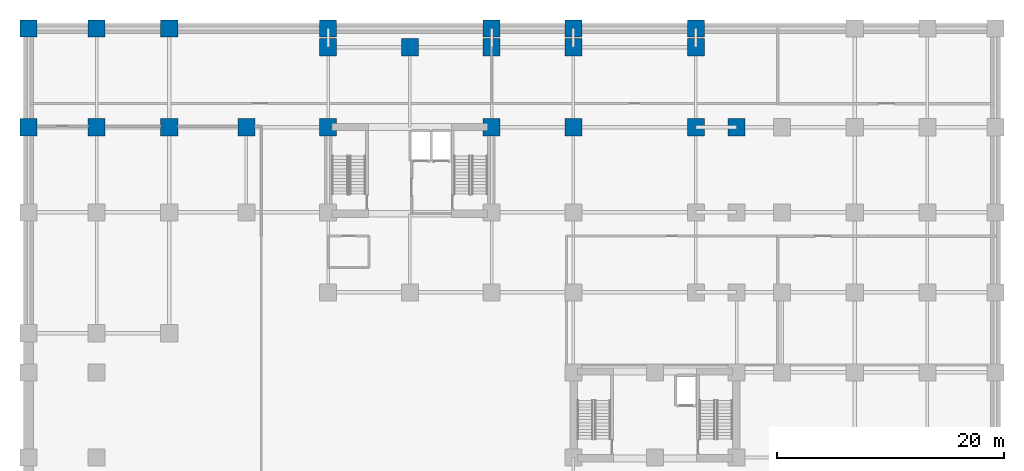
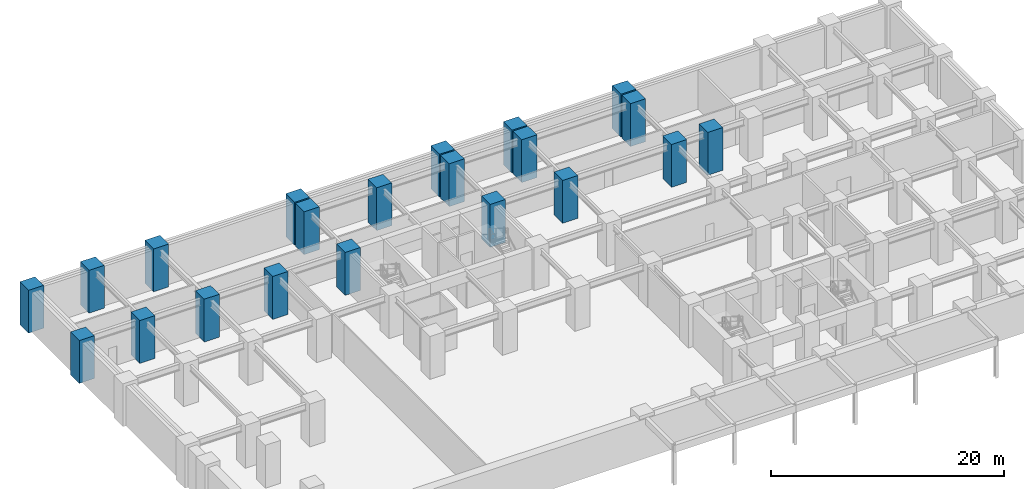
# One storey, part 3 of 11: 21 columns.
"""IFC4 building model written with IfcOpenShell, lengths in metres."""

import ifcopenshell
import ifcopenshell.guid

model = None  # the IFC model being written
_history = None  # IfcOwnerHistory: only IFC2X3 demands one
_inside = {}  # id of a spatial element -> (the spatial element, [elements in it])
_under = {}  # id of a project, library or spatial element -> (it, [spatial elements below it])
_declared = {}  # id of a project -> (the project, [libraries it declares])
_typed = {}  # id of a type object -> (the type object, [elements of that type])
_made_of = {}  # id of a material, layer set ... -> (it, [elements and type objects made of it])


def new_model(schema):
    """Start an empty IFC model of exactly this schema.

    Asked for "IFC4X3", IfcOpenShell would pick the latest addendum, in which some entities
    have other attributes; the version numbers below select the first issue.
    IFC2X3 requires an IfcOwnerHistory on every rooted entity: one is made here for all.
    """
    global model, _history
    if schema == "IFC4X3":
        model = ifcopenshell.file(schema_version=(4, 3, 0, 0))
    else:
        model = ifcopenshell.file(schema=schema)
    _inside.clear()
    _under.clear()
    _declared.clear()
    _typed.clear()
    _made_of.clear()
    _history = None
    if model.schema == "IFC2X3":
        org = make("IfcOrganization", Name="unknown")
        user = make(
            "IfcPersonAndOrganization",
            ThePerson=make("IfcPerson", FamilyName="unknown"),
            TheOrganization=org,
        )
        app = make(
            "IfcApplication",
            ApplicationDeveloper=org,
            Version="unknown",
            ApplicationFullName="unknown",
            ApplicationIdentifier="unknown",
        )
        _history = make(
            "IfcOwnerHistory",
            OwningUser=user,
            OwningApplication=app,
            ChangeAction="ADDED",
            CreationDate=0,
        )
    return model


def make(cls, **values):
    """One entity of the class cls with the attributes given. An attribute that is None is left unset."""
    return model.create_entity(
        cls, **{name: value for name, value in values.items() if value is not None}
    )


def rooted(cls, **values):
    """An entity with a GlobalId (a new one), such as an element, a storey or a relation."""
    return make(cls, GlobalId=ifcopenshell.guid.new(), OwnerHistory=_history, **values)


def si_unit(unit_type, name, prefix=None):
    """IfcSIUnit, for example si_unit("LENGTHUNIT", "METRE", prefix="MILLI")."""
    return make("IfcSIUnit", UnitType=unit_type, Prefix=prefix, Name=name)


def assignment(units):
    """IfcUnitAssignment: the units of a project."""
    return None if units is None else make("IfcUnitAssignment", Units=units)


def point(xyz):
    """IfcCartesianPoint."""
    return None if xyz is None else make("IfcCartesianPoint", Coordinates=xyz)


def direction(xyz):
    """IfcDirection."""
    return None if xyz is None else make("IfcDirection", DirectionRatios=xyz)


def frame(location, z_axis=None, x_axis=None):
    """IfcAxis2Placement3D, a coordinate frame: its origin and axes. An axis left out is left unset."""
    return make(
        "IfcAxis2Placement3D",
        Location=point(location),
        Axis=direction(z_axis),
        RefDirection=direction(x_axis),
    )


def frame_2d(location, x_axis=None):
    """IfcAxis2Placement2D, a coordinate frame in the plane: its origin and x axis."""
    return make(
        "IfcAxis2Placement2D", Location=point(location), RefDirection=direction(x_axis)
    )


def origin():
    """The frame at (0, 0, 0) with its axes left unset."""
    return frame((0.0, 0.0, 0.0))


def origin_2d():
    """The frame at (0, 0) in the plane with its x axis left unset."""
    return frame_2d((0.0, 0.0))


def place(relative_to, where):
    """IfcLocalPlacement: puts the frame where relative to a parent placement (None: the world)."""
    return make(
        "IfcLocalPlacement", PlacementRelTo=relative_to, RelativePlacement=where
    )


def context(
    kind, dimensions, precision=None, world=None, true_north=None, identifier=None
):
    """IfcGeometricRepresentationContext, for example the 3D "Model" context."""
    return make(
        "IfcGeometricRepresentationContext",
        ContextIdentifier=identifier,
        ContextType=kind,
        CoordinateSpaceDimension=dimensions,
        Precision=precision,
        WorldCoordinateSystem=world,
        TrueNorth=true_north,
    )


def subcontext(parent, identifier, kind, view, scale=None):
    """IfcGeometricRepresentationSubContext, for example "Body" below "Model"."""
    return make(
        "IfcGeometricRepresentationSubContext",
        ContextIdentifier=identifier,
        ContextType=kind,
        ParentContext=parent,
        TargetScale=scale,
        TargetView=view,
    )


def project(units=None, contexts=None):
    """IfcProject with its units and contexts."""
    return rooted(
        "IfcProject",
        Name="project",
        RepresentationContexts=contexts,
        UnitsInContext=assignment(units),
    )


def spatial(cls, under=None, at=None, **own):
    """A site, building, storey or space (cls), placed at a placement, below another one or the project."""
    s = rooted(cls, ObjectPlacement=at, **own)
    if under is not None:
        _under.setdefault(under.id(), (under, []))[1].append(s)
    return s


def profile(cls, at=None, kind="AREA", **sizes):
    """A parametric profile (cls). Its sizes go by their IFC names, for example OverallWidth=200.0."""
    return make(cls, ProfileType=kind, Position=at, **sizes)


def rectangle(**sizes):
    """IfcRectangleProfileDef."""
    return profile("IfcRectangleProfileDef", **sizes)


def extrude(swept, where, along, depth):
    """IfcExtrudedAreaSolid: the profile swept, set in the frame where, extruded along a direction by depth."""
    return make(
        "IfcExtrudedAreaSolid",
        SweptArea=swept,
        Position=where,
        ExtrudedDirection=direction(along),
        Depth=depth,
    )


def shape(context_of_items, identifier, shape_type, items):
    """IfcShapeRepresentation: the items that make up one representation, for example the "Body"."""
    return make(
        "IfcShapeRepresentation",
        ContextOfItems=context_of_items,
        RepresentationIdentifier=identifier,
        RepresentationType=shape_type,
        Items=items,
    )


def source(mapping_origin, context_of_items, identifier, shape_type, items):
    """IfcRepresentationMap: a shape defined once, which mapped items show again and again."""
    return make(
        "IfcRepresentationMap",
        MappingOrigin=mapping_origin,
        MappedRepresentation=shape(context_of_items, identifier, shape_type, items),
    )


def transform(
    local_origin,
    x_axis=None,
    y_axis=None,
    z_axis=None,
    scale=None,
    scale2=None,
    scale3=None,
    uniform=True,
):
    """IfcCartesianTransformationOperator3D, or its non-uniform kind. x_axis, y_axis, z_axis: its Axis1, 2, 3."""
    if uniform:
        return make(
            "IfcCartesianTransformationOperator3D",
            Axis1=direction(x_axis),
            Axis2=direction(y_axis),
            LocalOrigin=point(local_origin),
            Scale=scale,
            Axis3=direction(z_axis),
        )
    return make(
        "IfcCartesianTransformationOperator3DnonUniform",
        Axis1=direction(x_axis),
        Axis2=direction(y_axis),
        LocalOrigin=point(local_origin),
        Scale=scale,
        Axis3=direction(z_axis),
        Scale2=scale2,
        Scale3=scale3,
    )


def mapped(mapping_source, mapping_target):
    """IfcMappedItem: shows the shape of a source again, moved by a transform."""
    return make(
        "IfcMappedItem", MappingSource=mapping_source, MappingTarget=mapping_target
    )


def material(Name=None, Category=None):
    """IfcMaterial."""
    return make("IfcMaterial", Name=Name, Category=Category)


def material_profile(
    of_material, cross_section, Name=None, Category=None, Priority=None
):
    """IfcMaterialProfile: a cross section and its material."""
    return make(
        "IfcMaterialProfile",
        Name=Name,
        Material=of_material,
        Profile=cross_section,
        Priority=Priority,
        Category=Category,
    )


def profile_set(profiles, Name=None, composite=None):
    """IfcMaterialProfileSet."""
    return make(
        "IfcMaterialProfileSet",
        Name=Name,
        MaterialProfiles=profiles,
        CompositeProfile=composite,
    )


def made_of(thing, what):
    """Note that an element or type object is made of a material, layer set ...; save() writes the relation."""
    if what is not None:
        _made_of.setdefault(what.id(), (what, []))[1].append(thing)
    return thing


def type_object(cls, material=None, **own):
    """A type object (cls), such as IfcWallType, which elements share."""
    return made_of(rooted(cls, **own), material)


def element(
    cls,
    number,
    at=None,
    inside=None,
    cuts=None,
    type_object=None,
    material=None,
    context=None,
    identifier="Body",
    shape_type=None,
    held_by="IfcProductDefinitionShape",
    body=None,
    shapes=None,
    **own,
):
    """One element of the class cls, such as IfcWall. Its Tag is "e" and its number.

    at: its placement. inside: the storey or other place that contains it. cuts: it is an
    opening in that element (IfcRelVoidsElement). A single representation is given by context,
    identifier, shape_type and body (its items); several are given by shapes. held_by: the class
    of the entity that holds the representations. save() writes the other relations.
    """
    e = rooted(cls, Tag="e%d" % number, ObjectPlacement=at, **own)
    if body is not None:
        shapes = [shape(context, identifier, shape_type, body)]
    if shapes is not None:
        e.Representation = make(held_by, Representations=shapes)
    if inside is not None:
        _inside.setdefault(inside.id(), (inside, []))[1].append(e)
    if cuts is not None:
        rooted(
            "IfcRelVoidsElement", RelatingBuildingElement=cuts, RelatedOpeningElement=e
        )
    if type_object is not None:
        _typed.setdefault(type_object.id(), (type_object, []))[1].append(e)
    return made_of(e, material)


def aggregate(whole, parts):
    """IfcRelAggregates: a whole, such as a stair, and the parts it consists of."""
    return rooted("IfcRelAggregates", RelatingObject=whole, RelatedObjects=parts)


def save(model, path):
    """Write the relations noted so far, then the file.

    IfcRelAggregates (storeys below a building ...), IfcRelContainedInSpatialStructure (elements
    in a storey), IfcRelDefinesByType, IfcRelAssociatesMaterial and IfcRelDeclares: one each for
    every whole, place, type object, material and project.
    """
    for whole, parts in _under.values():
        aggregate(whole, parts)
    for where, things in _inside.values():
        rooted(
            "IfcRelContainedInSpatialStructure",
            RelatedElements=things,
            RelatingStructure=where,
        )
    for kind, things in _typed.values():
        rooted("IfcRelDefinesByType", RelatedObjects=things, RelatingType=kind)
    for what, things in _made_of.values():
        rooted("IfcRelAssociatesMaterial", RelatedObjects=things, RelatingMaterial=what)
    for by, libraries in _declared.values():
        rooted("IfcRelDeclares", RelatingContext=by, RelatedDefinitions=libraries)
    model.write(path)


model = new_model("IFC4")

# Units and contexts
model_context = context("Model", 3, precision=1e-05, world=origin(), true_north=direction((0.0, 1.0)))
body_context = subcontext(model_context, "Body", "Model", "MODEL_VIEW")
ifc_project = project(units=[si_unit("LENGTHUNIT", "METRE"), si_unit("AREAUNIT", "SQUARE_METRE"), si_unit("VOLUMEUNIT", "CUBIC_METRE"), si_unit("PLANEANGLEUNIT", "RADIAN"), si_unit("MASSUNIT", "GRAM", prefix="KILO")], contexts=[model_context])

# Site, building, storey
site_placement = place(None, origin())
site = spatial("IfcSite", under=ifc_project, at=site_placement, CompositionType="ELEMENT")
building_placement = place(site_placement, origin())
building = spatial("IfcBuilding", under=site, at=building_placement, Name="Kaliganga Portal Commons", CompositionType="ELEMENT")
storey_placement = place(building_placement, frame((0.0, 0.0, -4.5)))
storey = spatial("IfcBuildingStorey", under=building, at=storey_placement, Name="B1", CompositionType="ELEMENT", Elevation=-4.5)

# Columns
ifc_material = material(Name="Concrete C70/85", Category="concrete")
ifc_material_profile = material_profile(ifc_material, rectangle(XDim=1.5, YDim=1.5, at=origin_2d()), Name="RC 1500x1500")
ifc_profile_set = profile_set([ifc_material_profile], Name="Concrete C70/85")
column_type = type_object("IfcColumnType", Name="COL-MEGA-Z0", PredefinedType="COLUMN", material=ifc_profile_set)
shared_shape = source(origin(), body_context, "Body", "SweptSolid", [
    extrude(rectangle(XDim=1.5, YDim=1.5, at=origin_2d()), origin(), (0.0, 0.0, 1.0), 4.5),
])
for number, where, z_axis, x_axis, name in (
    (1, (7.199951171875, 36.14990234375, 0.0), (0.0, 0.0, 1.0), (1.0, 0.0, 0.0), "Column MC-01 B1"),
    (2, (14.39990234375, 36.14990234375, 0.0), (0.0, 0.0, 1.0), (1.0, 0.0, 0.0), "Column MC-01 B1"),
    (3, (14.39990234375, 43.199951171875, 0.0), (0.0, 0.0, 1.0), (1.0, 0.0, 0.0), "Column MC-01 B1"),
    (4, (21.60009765625, 43.199951171875, 0.0), (0.0, 0.0, 1.0), (1.0, 0.0, 0.0), "Column MC-01 B1"),
    (5, (28.800048828125, 36.14990234375, 0.0), (0.0, 0.0, 1.0), (1.0, 0.0, 0.0), "Column MC-01 B1"),
    (6, (28.800048828125, 43.199951171875, 0.0), (0.0, 0.0, 1.0), (1.0, 0.0, 0.0), "Column MC-01 B1"),
    (7, (36.0, 43.199951171875, 0.0), (0.0, 0.0, 1.0), (1.0, 0.0, 0.0), "Column MC-01 B1"),
    (8, (36.0, 36.14990234375, 0.0), (0.0, 0.0, 1.0), (1.0, 0.0, 0.0), "Column MC-01 B1"),
    (9, (46.800048828125, 36.14990234375, 0.0), (0.0, 0.0, 1.0), (1.0, 0.0, 0.0), "Column MC-01 B1"),
    (10, (46.800048828125, 43.199951171875, 0.0), (0.0, 0.0, 1.0), (1.0, 0.0, 0.0), "Column MC-01 B1"),
    (11, (50.39990234375, 36.14990234375, 0.0), (0.0, 0.0, 1.0), (1.0, 0.0, 0.0), "Column MC-01 B1"),
    (12, (0.39990234375, 36.14990234375, 0.0), (0.0, 0.0, 1.0), (1.0, 0.0, 0.0), "Column MC-01 B1"),
    (13, (0.39990234375, 44.85009765625, 0.0), (0.0, 0.0, 1.0), (1.0, 0.0, 0.0), "Column MC-01 B1"),
    (14, (14.39990234375, 44.85009765625, 0.0), (0.0, 0.0, 1.0), (1.0, 0.0, 0.0), "Column MC-01 B1"),
    (15, (28.800048828125, 44.85009765625, 0.0), (0.0, 0.0, 1.0), (1.0, 0.0, 0.0), "Column MC-01 B1"),
    (16, (36.0, 44.85009765625, 0.0), (0.0, 0.0, 1.0), (1.0, 0.0, 0.0), "Column MC-01 B1"),
    (17, (46.800048828125, 44.85009765625, 0.0), (0.0, 0.0, 1.0), (1.0, 0.0, 0.0), "Column MC-01 B1"),
    (18, (-12.0, 36.14990234375, 0.0), (0.0, 0.0, 1.0), (1.0, 0.0, 0.0), "Column MC-01 B1"),
    (19, (-12.0, 44.85009765625, 0.0), (0.0, 0.0, 1.0), (1.0, 0.0, 0.0), "Column MC-01 B1"),
    (20, (-6.0, 36.14990234375, 0.0), (0.0, 0.0, 1.0), (1.0, 0.0, 0.0), "Column MC-01 B1"),
    (21, (-6.0, 44.85009765625, 0.0), (0.0, 0.0, 1.0), (1.0, 0.0, 0.0), "Column MC-01 B1"),
):
    element("IfcColumn", number, at=place(storey_placement, frame(where, z_axis=z_axis, x_axis=x_axis)), inside=storey, type_object=column_type, Name=name, PredefinedType="COLUMN", context=body_context, shape_type="MappedRepresentation", body=[
        mapped(shared_shape, transform((0.0, 0.0, 0.0), x_axis=(1.0, 0.0, 0.0), y_axis=(0.0, 1.0, 0.0), z_axis=(0.0, 0.0, 1.0), scale=1.0)),
    ])

save(model, "model.ifc")
